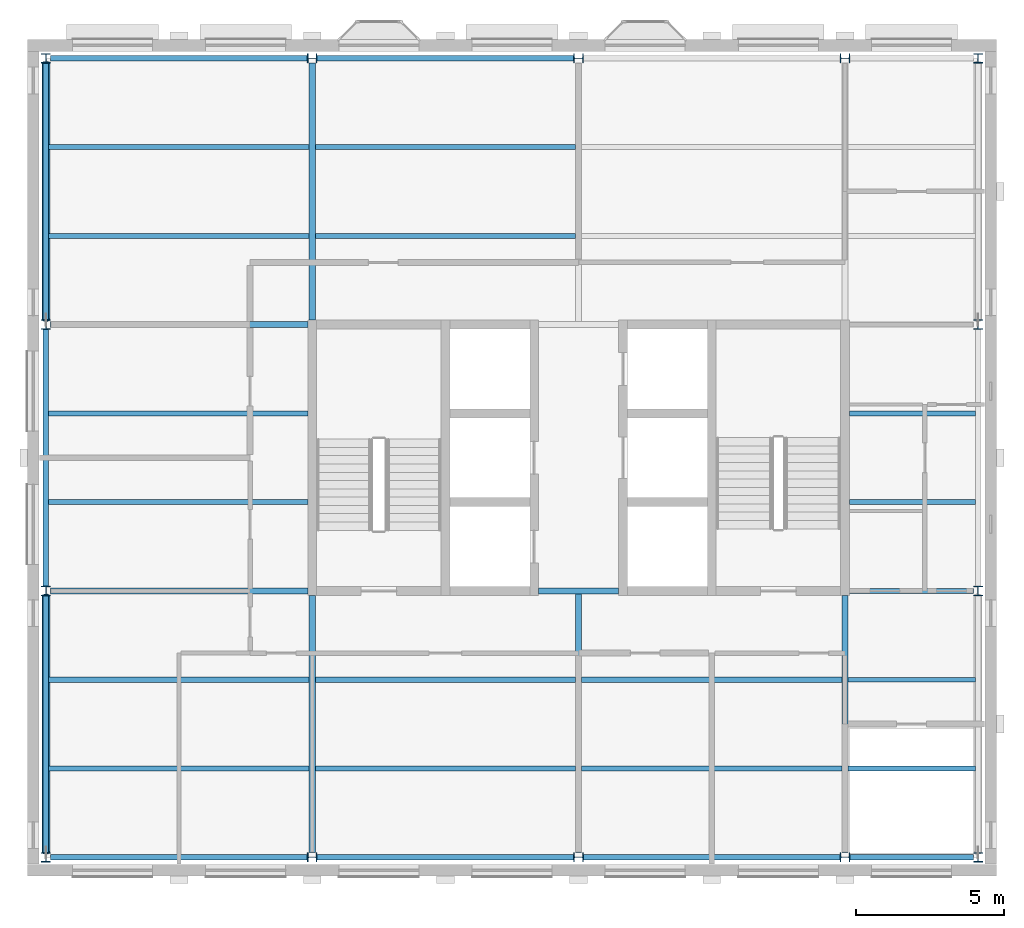
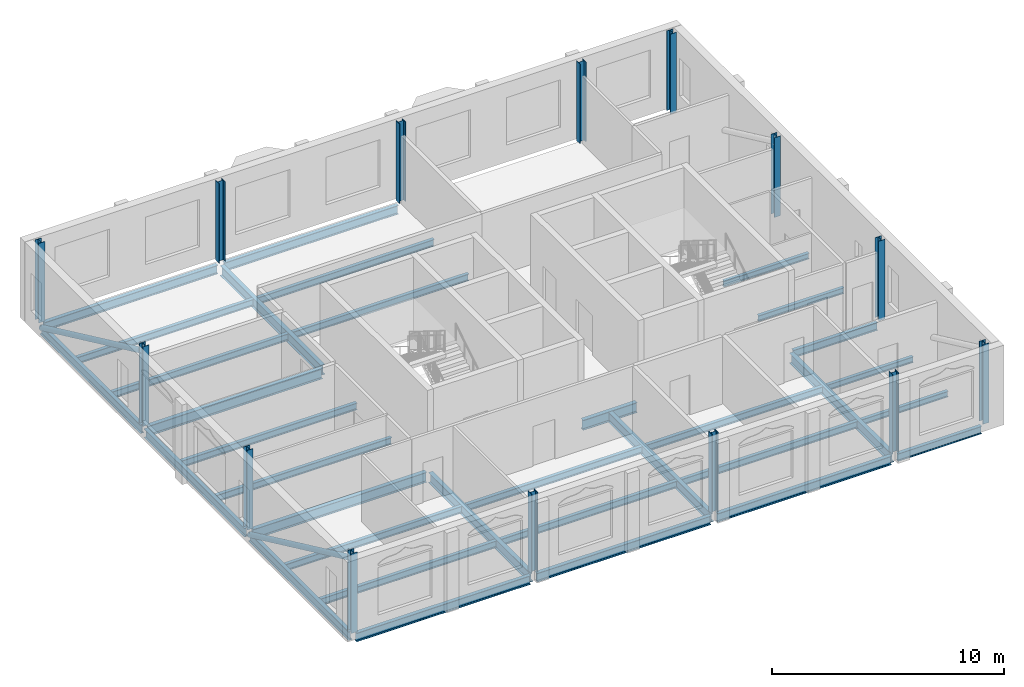
# One storey, part 1 of 9: 33 beams, 14 columns, 2 members.
"""IFC4 building model written with IfcOpenShell, lengths in metres."""

from ifc_helpers import new_model, si_unit, direction, frame, origin, origin_2d, place, context, subcontext, project, spatial, hollow_circle, i_section, extrude, material, material_profile, profile_set, type_object, element, save


model = new_model("IFC4")

# Units and contexts
model_context = context("Model", 3, precision=1e-05, world=origin(), true_north=direction((0.0, 1.0)))
body_context = subcontext(model_context, "Body", "Model", "MODEL_VIEW")
ifc_project = project(units=[si_unit("LENGTHUNIT", "METRE"), si_unit("AREAUNIT", "SQUARE_METRE"), si_unit("VOLUMEUNIT", "CUBIC_METRE"), si_unit("PLANEANGLEUNIT", "RADIAN"), si_unit("MASSUNIT", "GRAM", prefix="KILO")], contexts=[model_context])

# Site, building, storey
site_placement = place(None, origin())
site = spatial("IfcSite", under=ifc_project, at=site_placement, CompositionType="ELEMENT")
building_placement = place(site_placement, origin())
building = spatial("IfcBuilding", under=site, at=building_placement, Name="Hortulan Conservatory and Botanical Research Centre", CompositionType="ELEMENT")
storey_placement = place(building_placement, frame((0.0, 0.0, 44.39990234375)))
storey = spatial("IfcBuildingStorey", under=building, at=storey_placement, Name="L10", CompositionType="ELEMENT", Elevation=44.39990234375)

# Columns
ifc_material_1 = material(Name="Steel Grade 300PLUS (AS/NZS 3679.1, 280 MPa minimum yield)", Category="steel")
ifc_material_profile_1 = material_profile(ifc_material_1, i_section(OverallWidth=0.30908203125, OverallDepth=0.321044921875, WebThickness=0.013916015625, FlangeThickness=0.021728515625, FilletRadius=0.0166015625, at=origin_2d()), Name="310UC137")
ifc_profile_set_1 = profile_set([ifc_material_profile_1], Name="Steel Grade 300PLUS (AS/NZS 3679.1, 280 MPa minimum yield)")
column_type = type_object("IfcColumnType", Name="Tower Column 310UC137", PredefinedType="COLUMN", material=ifc_profile_set_1)
for number, where, z_axis, x_axis, name in (
    (1, (0.0, 0.0, 0.0), (0.0, 0.0, 1.0), (1.0, 0.0, 0.0), "310UC137 column"),
    (2, (0.0, 9.0, 0.0), (0.0, 0.0, 1.0), (1.0, 0.0, 0.0), "310UC137 column"),
    (3, (0.0, 18.0, 0.0), (0.0, 0.0, 1.0), (1.0, 0.0, 0.0), "310UC137 column"),
    (4, (0.0, 27.0, 0.0), (0.0, 0.0, 1.0), (1.0, 0.0, 0.0), "310UC137 column"),
    (5, (9.0, 0.0, 0.0), (0.0, 0.0, 1.0), (0.0, 1.0, 0.0), "310UC137 column"),
    (6, (9.0, 27.0, 0.0), (0.0, 0.0, 1.0), (0.0, 1.0, 0.0), "310UC137 column"),
    (7, (18.0, 0.0, 0.0), (0.0, 0.0, 1.0), (0.0, 1.0, 0.0), "310UC137 column"),
    (8, (18.0, 27.0, 0.0), (0.0, 0.0, 1.0), (0.0, 1.0, 0.0), "310UC137 column"),
    (9, (27.0, 0.0, 0.0), (0.0, 0.0, 1.0), (0.0, 1.0, 0.0), "310UC137 column"),
    (10, (27.0, 27.0, 0.0), (0.0, 0.0, 1.0), (0.0, 1.0, 0.0), "310UC137 column"),
    (11, (31.5, 0.0, 0.0), (0.0, 0.0, 1.0), (1.0, 0.0, 0.0), "310UC137 column"),
    (12, (31.5, 9.0, 0.0), (0.0, 0.0, 1.0), (1.0, 0.0, 0.0), "310UC137 column"),
    (13, (31.5, 18.0, 0.0), (0.0, 0.0, 1.0), (1.0, 0.0, 0.0), "310UC137 column"),
    (14, (31.5, 27.0, 0.0), (0.0, 0.0, 1.0), (1.0, 0.0, 0.0), "310UC137 column"),
):
    element("IfcColumn", number, at=place(storey_placement, frame(where, z_axis=z_axis, x_axis=x_axis)), inside=storey, type_object=column_type, Name=name, PredefinedType="COLUMN", context=body_context, shape_type="SweptSolid", body=[
        extrude(i_section(OverallWidth=0.30908203125, OverallDepth=0.321044921875, WebThickness=0.013916015625, FlangeThickness=0.021728515625, FilletRadius=0.0166015625, at=origin_2d()), origin(), (0.0, 0.0, 1.0), 4.2001953125),
    ])

# Members
ifc_material_2 = material(Name="Steel Grade C350L0 (350 MPa, AS/NZS 1163)", Category="steel")
ifc_material_profile_2 = material_profile(ifc_material_2, hollow_circle(Radius=0.136474609375, WallThickness=0.00927734375, at=origin_2d()), Name="273.1x9.3CHS")
ifc_profile_set_2 = profile_set([ifc_material_profile_2], Name="Steel Grade C350L0 (350 MPa, AS/NZS 1163)")
member_type = type_object("IfcMemberType", Name="Brace 273.1x9.3CHS", PredefinedType="BRACE", material=ifc_profile_set_2)
for number, where, z_axis, x_axis, name in (
    (15, (0.0, 8.839599609375, -0.284912109375), (0.0, -0.906134295521, 0.422990116292), (1.0, 0.0, 0.0), "273.1x9.3CHS brace"),
    (16, (0.0, 26.839599609375, -0.284912109375), (0.0, -0.906134295521, 0.422990116292), (1.0, 0.0, 0.0), "273.1x9.3CHS brace"),
):
    element("IfcMember", number, at=place(storey_placement, frame(where, z_axis=z_axis, x_axis=x_axis)), inside=storey, type_object=member_type, Name=name, PredefinedType="BRACE", context=body_context, shape_type="SweptSolid", body=[
        extrude(hollow_circle(Radius=0.136474609375, WallThickness=0.00927734375, at=origin_2d()), origin(), (0.0, 0.0, 1.0), 9.578369140625),
    ])

# Beams
ifc_material_profile_3 = material_profile(ifc_material_1, i_section(OverallWidth=0.177978515625, OverallDepth=0.403076171875, WebThickness=0.007568359375, FlangeThickness=0.010986328125, FilletRadius=0.011474609375, at=origin_2d()), Name="410UB53.7")
ifc_profile_set_3 = profile_set([ifc_material_profile_3], Name="Steel Grade 300PLUS (AS/NZS 3679.1, 280 MPa minimum yield)")
beam_type_1 = type_object("IfcBeamType", Name="Primary Beam 410UB53.7", PredefinedType="BEAM", material=ifc_profile_set_3)
beam_1_placement = place(storey_placement, frame((27.16357421875, 0.0, -0.331298828125), z_axis=(1.0, 0.0, 0.0), x_axis=(0.0, 1.0, 0.0)))
element("IfcBeam", 17, at=beam_1_placement, inside=storey, type_object=beam_type_1, Name="410UB53.7 girder", PredefinedType="BEAM", context=body_context, shape_type="SweptSolid", body=[
    extrude(i_section(OverallWidth=0.177978515625, OverallDepth=0.403076171875, WebThickness=0.007568359375, FlangeThickness=0.010986328125, FilletRadius=0.011474609375, at=origin_2d()), origin(), (0.0, 0.0, 1.0), 4.180908203125),
])
beam_2_placement = place(storey_placement, frame((27.14990234375, 9.0, -0.331298828125), z_axis=(1.0, 0.0, 0.0), x_axis=(0.0, 1.0, 0.0)))
element("IfcBeam", 18, at=beam_2_placement, inside=storey, type_object=beam_type_1, Name="410UB53.7 girder", PredefinedType="BEAM", context=body_context, shape_type="SweptSolid", body=[
    extrude(i_section(OverallWidth=0.177978515625, OverallDepth=0.403076171875, WebThickness=0.007568359375, FlangeThickness=0.010986328125, FilletRadius=0.011474609375, at=origin_2d()), origin(), (0.0, 0.0, 1.0), 4.194580078125),
])
ifc_material_profile_4 = material_profile(ifc_material_1, i_section(OverallWidth=0.19091796875, OverallDepth=0.4599609375, WebThickness=0.010009765625, FlangeThickness=0.01611328125, FilletRadius=0.011474609375, at=origin_2d()), Name="460UB82.1")
ifc_profile_set_4 = profile_set([ifc_material_profile_4], Name="Steel Grade 300PLUS (AS/NZS 3679.1, 280 MPa minimum yield)")
beam_type_2 = type_object("IfcBeamType", Name="Primary Beam 460UB82.1", PredefinedType="BEAM", material=ifc_profile_set_4)
beam_3_placement = place(storey_placement, frame((0.0, 0.16357421875, -0.35986328125), z_axis=(0.0, 1.0, 0.0), x_axis=(-1.0, 0.0, 0.0)))
element("IfcBeam", 19, at=beam_3_placement, inside=storey, type_object=beam_type_2, Name="460UB82.1 girder", PredefinedType="BEAM", context=body_context, shape_type="SweptSolid", body=[
    extrude(i_section(OverallWidth=0.19091796875, OverallDepth=0.4599609375, WebThickness=0.010009765625, FlangeThickness=0.01611328125, FilletRadius=0.011474609375, at=origin_2d()), origin(), (0.0, 0.0, 1.0), 8.6728515625),
])
beam_4_placement = place(storey_placement, frame((0.155517578125, 0.0, -0.35986328125), z_axis=(1.0, 0.0, 0.0), x_axis=(0.0, 1.0, 0.0)))
element("IfcBeam", 20, at=beam_4_placement, inside=storey, type_object=beam_type_2, Name="460UB82.1 girder", PredefinedType="BEAM", context=body_context, shape_type="SweptSolid", body=[
    extrude(i_section(OverallWidth=0.19091796875, OverallDepth=0.4599609375, WebThickness=0.010009765625, FlangeThickness=0.01611328125, FilletRadius=0.011474609375, at=origin_2d()), origin(), (0.0, 0.0, 1.0), 8.680908203125),
])
for number, where, z_axis, x_axis, name in (
    (21, (0.0, 9.16357421875, -0.35986328125), (0.0, 1.0, 0.0), (-1.0, 0.0, 0.0), "460UB82.1 girder"),
    (22, (0.0, 18.16357421875, -0.35986328125), (0.0, 1.0, 0.0), (-1.0, 0.0, 0.0), "460UB82.1 girder"),
):
    element("IfcBeam", number, at=place(storey_placement, frame(where, z_axis=z_axis, x_axis=x_axis)), inside=storey, type_object=beam_type_2, Name=name, PredefinedType="BEAM", context=body_context, shape_type="SweptSolid", body=[
        extrude(i_section(OverallWidth=0.19091796875, OverallDepth=0.4599609375, WebThickness=0.010009765625, FlangeThickness=0.01611328125, FilletRadius=0.011474609375, at=origin_2d()), origin(), (0.0, 0.0, 1.0), 8.6728515625),
    ])
beam_5_placement = place(storey_placement, frame((0.155517578125, 27.0, -0.35986328125), z_axis=(1.0, 0.0, 0.0), x_axis=(0.0, 1.0, 0.0)))
element("IfcBeam", 23, at=beam_5_placement, inside=storey, type_object=beam_type_2, Name="460UB82.1 girder", PredefinedType="BEAM", context=body_context, shape_type="SweptSolid", body=[
    extrude(i_section(OverallWidth=0.19091796875, OverallDepth=0.4599609375, WebThickness=0.010009765625, FlangeThickness=0.01611328125, FilletRadius=0.011474609375, at=origin_2d()), origin(), (0.0, 0.0, 1.0), 8.680908203125),
])
for number, where, z_axis, x_axis, name in (
    (24, (9.16357421875, 0.0, -0.35986328125), (1.0, 0.0, 0.0), (0.0, 1.0, 0.0), "460UB82.1 girder"),
    (25, (9.16357421875, 27.0, -0.35986328125), (1.0, 0.0, 0.0), (0.0, 1.0, 0.0), "460UB82.1 girder"),
    (26, (18.16357421875, 0.0, -0.35986328125), (1.0, 0.0, 0.0), (0.0, 1.0, 0.0), "460UB82.1 girder"),
):
    element("IfcBeam", number, at=place(storey_placement, frame(where, z_axis=z_axis, x_axis=x_axis)), inside=storey, type_object=beam_type_2, Name=name, PredefinedType="BEAM", context=body_context, shape_type="SweptSolid", body=[
        extrude(i_section(OverallWidth=0.19091796875, OverallDepth=0.4599609375, WebThickness=0.010009765625, FlangeThickness=0.01611328125, FilletRadius=0.011474609375, at=origin_2d()), origin(), (0.0, 0.0, 1.0), 8.6728515625),
    ])
ifc_material_profile_5 = material_profile(ifc_material_1, i_section(OverallWidth=0.208984375, OverallDepth=0.532958984375, WebThickness=0.01025390625, FlangeThickness=0.015625, FilletRadius=0.013916015625, at=origin_2d()), Name="530UB92.4")
ifc_profile_set_5 = profile_set([ifc_material_profile_5], Name="Steel Grade 300PLUS (AS/NZS 3679.1, 280 MPa minimum yield)")
beam_type_3 = type_object("IfcBeamType", Name="Primary Beam 530UB92.4", PredefinedType="BEAM", material=ifc_profile_set_5)
for number, where, z_axis, x_axis, name in (
    (27, (0.155517578125, 9.0, -0.396484375), (1.0, 0.0, 0.0), (0.0, 1.0, 0.0), "530UB92.4 girder"),
    (28, (0.155517578125, 18.0, -0.396484375), (1.0, 0.0, 0.0), (0.0, 1.0, 0.0), "530UB92.4 girder"),
    (29, (9.0, 0.155517578125, -0.396484375), (0.0, 1.0, 0.0), (-1.0, 0.0, 0.0), "530UB92.4 girder"),
    (30, (9.0, 18.14990234375, -0.396484375), (0.0, 1.0, 0.0), (-1.0, 0.0, 0.0), "530UB92.4 girder"),
):
    element("IfcBeam", number, at=place(storey_placement, frame(where, z_axis=z_axis, x_axis=x_axis)), inside=storey, type_object=beam_type_3, Name=name, PredefinedType="BEAM", context=body_context, shape_type="SweptSolid", body=[
        extrude(i_section(OverallWidth=0.208984375, OverallDepth=0.532958984375, WebThickness=0.01025390625, FlangeThickness=0.015625, FilletRadius=0.013916015625, at=origin_2d()), origin(), (0.0, 0.0, 1.0), 8.694580078125),
    ])
beam_6_placement = place(storey_placement, frame((16.64990234375, 9.0, -0.396484375), z_axis=(1.0, 0.0, 0.0), x_axis=(0.0, 1.0, 0.0)))
element("IfcBeam", 31, at=beam_6_placement, inside=storey, type_object=beam_type_3, Name="530UB92.4 girder", PredefinedType="BEAM", context=body_context, shape_type="SweptSolid", body=[
    extrude(i_section(OverallWidth=0.208984375, OverallDepth=0.532958984375, WebThickness=0.01025390625, FlangeThickness=0.015625, FilletRadius=0.013916015625, at=origin_2d()), origin(), (0.0, 0.0, 1.0), 2.7001953125),
])
beam_7_placement = place(storey_placement, frame((18.0, 0.155517578125, -0.396484375), z_axis=(0.0, 1.0, 0.0), x_axis=(-1.0, 0.0, 0.0)))
element("IfcBeam", 32, at=beam_7_placement, inside=storey, type_object=beam_type_3, Name="530UB92.4 girder", PredefinedType="BEAM", context=body_context, shape_type="SweptSolid", body=[
    extrude(i_section(OverallWidth=0.208984375, OverallDepth=0.532958984375, WebThickness=0.01025390625, FlangeThickness=0.015625, FilletRadius=0.013916015625, at=origin_2d()), origin(), (0.0, 0.0, 1.0), 8.844482421875),
])
beam_8_placement = place(storey_placement, frame((27.0, 0.155517578125, -0.396484375), z_axis=(0.0, 1.0, 0.0), x_axis=(-1.0, 0.0, 0.0)))
element("IfcBeam", 33, at=beam_8_placement, inside=storey, type_object=beam_type_3, Name="530UB92.4 girder", PredefinedType="BEAM", context=body_context, shape_type="SweptSolid", body=[
    extrude(i_section(OverallWidth=0.208984375, OverallDepth=0.532958984375, WebThickness=0.01025390625, FlangeThickness=0.015625, FilletRadius=0.013916015625, at=origin_2d()), origin(), (0.0, 0.0, 1.0), 8.694580078125),
])
ifc_material_profile_6 = material_profile(ifc_material_1, i_section(OverallWidth=0.1650390625, OverallDepth=0.303955078125, WebThickness=0.006103515625, FlangeThickness=0.01025390625, FilletRadius=0.011474609375, at=origin_2d()), Name="310UB40.4")
ifc_profile_set_6 = profile_set([ifc_material_profile_6], Name="Steel Grade 300PLUS (AS/NZS 3679.1, 280 MPa minimum yield)")
beam_type_4 = type_object("IfcBeamType", Name="Secondary Beam 310UB40.4", PredefinedType="JOIST", material=ifc_profile_set_6)
for number, where, z_axis, x_axis, name in (
    (34, (27.1044921875, 3.0, -0.281982421875), (1.0, 0.0, 0.0), (0.0, 1.0, 0.0), "310UB40.4 secondary beam"),
    (35, (27.1044921875, 6.0, -0.281982421875), (1.0, 0.0, 0.0), (0.0, 1.0, 0.0), "310UB40.4 secondary beam"),
):
    element("IfcBeam", number, at=place(storey_placement, frame(where, z_axis=z_axis, x_axis=x_axis)), inside=storey, type_object=beam_type_4, Name=name, PredefinedType="JOIST", context=body_context, shape_type="SweptSolid", body=[
        extrude(i_section(OverallWidth=0.1650390625, OverallDepth=0.303955078125, WebThickness=0.006103515625, FlangeThickness=0.01025390625, FilletRadius=0.011474609375, at=origin_2d()), origin(), (0.0, 0.0, 1.0), 4.300048828125),
    ])
for number, where, z_axis, x_axis, name in (
    (36, (27.14990234375, 12.0, -0.281982421875), (1.0, 0.0, 0.0), (0.0, 1.0, 0.0), "310UB40.4 secondary beam"),
    (37, (27.14990234375, 15.0, -0.281982421875), (1.0, 0.0, 0.0), (0.0, 1.0, 0.0), "310UB40.4 secondary beam"),
):
    element("IfcBeam", number, at=place(storey_placement, frame(where, z_axis=z_axis, x_axis=x_axis)), inside=storey, type_object=beam_type_4, Name=name, PredefinedType="JOIST", context=body_context, shape_type="SweptSolid", body=[
        extrude(i_section(OverallWidth=0.1650390625, OverallDepth=0.303955078125, WebThickness=0.006103515625, FlangeThickness=0.01025390625, FilletRadius=0.011474609375, at=origin_2d()), origin(), (0.0, 0.0, 1.0), 4.254638671875),
    ])
ifc_material_profile_7 = material_profile(ifc_material_1, i_section(OverallWidth=0.172119140625, OverallDepth=0.35888671875, WebThickness=0.008056640625, FlangeThickness=0.012939453125, FilletRadius=0.011474609375, at=origin_2d()), Name="360UB56.7")
ifc_profile_set_7 = profile_set([ifc_material_profile_7], Name="Steel Grade 300PLUS (AS/NZS 3679.1, 280 MPa minimum yield)")
beam_type_5 = type_object("IfcBeamType", Name="Secondary Beam 360UB56.7", PredefinedType="JOIST", material=ifc_profile_set_7)
for number, where, z_axis, x_axis, name in (
    (38, (0.095458984375, 3.0, -0.309326171875), (1.0, 0.0, 0.0), (0.0, 1.0, 0.0), "360UB56.7 secondary beam"),
    (39, (0.095458984375, 6.0, -0.309326171875), (1.0, 0.0, 0.0), (0.0, 1.0, 0.0), "360UB56.7 secondary beam"),
):
    element("IfcBeam", number, at=place(storey_placement, frame(where, z_axis=z_axis, x_axis=x_axis)), inside=storey, type_object=beam_type_5, Name=name, PredefinedType="JOIST", context=body_context, shape_type="SweptSolid", body=[
        extrude(i_section(OverallWidth=0.172119140625, OverallDepth=0.35888671875, WebThickness=0.008056640625, FlangeThickness=0.012939453125, FilletRadius=0.011474609375, at=origin_2d()), origin(), (0.0, 0.0, 1.0), 8.800048828125),
    ])
for number, where, z_axis, x_axis, name in (
    (40, (0.095458984375, 12.0, -0.309326171875), (1.0, 0.0, 0.0), (0.0, 1.0, 0.0), "360UB56.7 secondary beam"),
    (41, (0.095458984375, 15.0, -0.309326171875), (1.0, 0.0, 0.0), (0.0, 1.0, 0.0), "360UB56.7 secondary beam"),
):
    element("IfcBeam", number, at=place(storey_placement, frame(where, z_axis=z_axis, x_axis=x_axis)), inside=storey, type_object=beam_type_5, Name=name, PredefinedType="JOIST", context=body_context, shape_type="SweptSolid", body=[
        extrude(i_section(OverallWidth=0.172119140625, OverallDepth=0.35888671875, WebThickness=0.008056640625, FlangeThickness=0.012939453125, FilletRadius=0.011474609375, at=origin_2d()), origin(), (0.0, 0.0, 1.0), 8.754638671875),
    ])
for number, where, z_axis, x_axis, name in (
    (42, (0.095458984375, 21.0, -0.309326171875), (1.0, 0.0, 0.0), (0.0, 1.0, 0.0), "360UB56.7 secondary beam"),
    (43, (0.095458984375, 24.0, -0.309326171875), (1.0, 0.0, 0.0), (0.0, 1.0, 0.0), "360UB56.7 secondary beam"),
):
    element("IfcBeam", number, at=place(storey_placement, frame(where, z_axis=z_axis, x_axis=x_axis)), inside=storey, type_object=beam_type_5, Name=name, PredefinedType="JOIST", context=body_context, shape_type="SweptSolid", body=[
        extrude(i_section(OverallWidth=0.172119140625, OverallDepth=0.35888671875, WebThickness=0.008056640625, FlangeThickness=0.012939453125, FilletRadius=0.011474609375, at=origin_2d()), origin(), (0.0, 0.0, 1.0), 8.800048828125),
    ])
for number, where, z_axis, x_axis, name in (
    (44, (9.1044921875, 3.0, -0.309326171875), (1.0, 0.0, 0.0), (0.0, 1.0, 0.0), "360UB56.7 secondary beam"),
    (45, (9.1044921875, 6.0, -0.309326171875), (1.0, 0.0, 0.0), (0.0, 1.0, 0.0), "360UB56.7 secondary beam"),
    (46, (9.1044921875, 21.0, -0.309326171875), (1.0, 0.0, 0.0), (0.0, 1.0, 0.0), "360UB56.7 secondary beam"),
    (47, (9.1044921875, 24.0, -0.309326171875), (1.0, 0.0, 0.0), (0.0, 1.0, 0.0), "360UB56.7 secondary beam"),
    (48, (18.1044921875, 3.0, -0.309326171875), (1.0, 0.0, 0.0), (0.0, 1.0, 0.0), "360UB56.7 secondary beam"),
    (49, (18.1044921875, 6.0, -0.309326171875), (1.0, 0.0, 0.0), (0.0, 1.0, 0.0), "360UB56.7 secondary beam"),
):
    element("IfcBeam", number, at=place(storey_placement, frame(where, z_axis=z_axis, x_axis=x_axis)), inside=storey, type_object=beam_type_5, Name=name, PredefinedType="JOIST", context=body_context, shape_type="SweptSolid", body=[
        extrude(i_section(OverallWidth=0.172119140625, OverallDepth=0.35888671875, WebThickness=0.008056640625, FlangeThickness=0.012939453125, FilletRadius=0.011474609375, at=origin_2d()), origin(), (0.0, 0.0, 1.0), 8.791015625),
    ])

save(model, "model.ifc")
